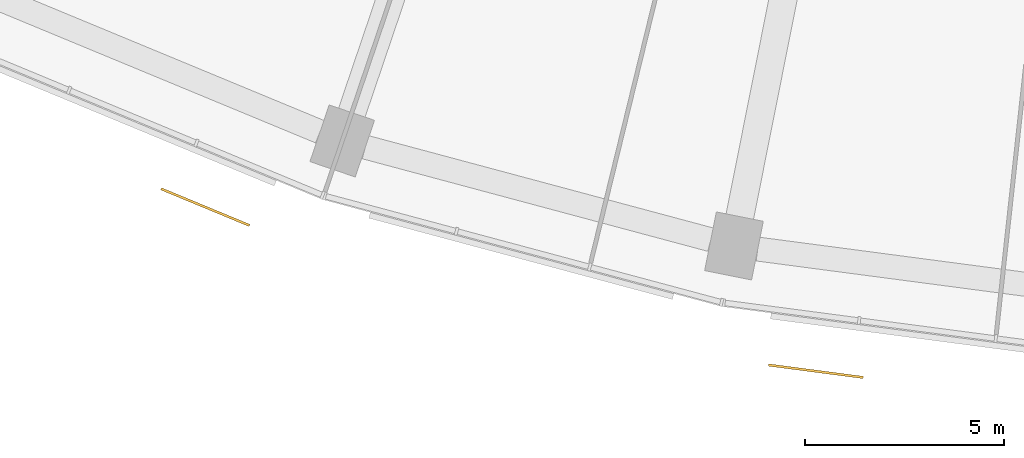
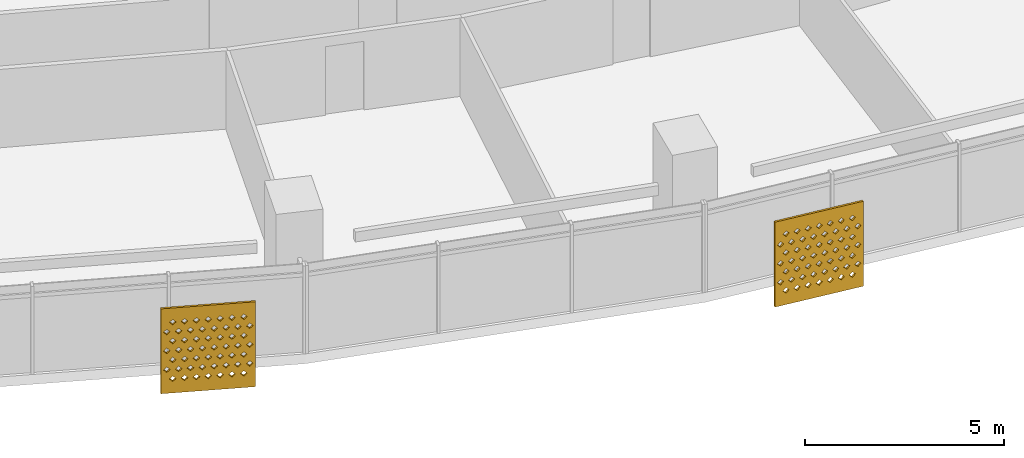
# One storey, part 24 of 29: 2 shading devices.
"""IFC4 building model written with IfcOpenShell, lengths in metres."""

from ifc_helpers import new_model, si_unit, direction, frame, origin, place, context, subcontext, project, spatial, polyline, outline, extrude, material, material_profile, profile_set, type_object, element, save


model = new_model("IFC4")

# Units and contexts
model_context = context("Model", 3, precision=1e-05, world=origin(), true_north=direction((0.0, 1.0)))
body_context = subcontext(model_context, "Body", "Model", "MODEL_VIEW")
ifc_project = project(units=[si_unit("LENGTHUNIT", "METRE"), si_unit("AREAUNIT", "SQUARE_METRE"), si_unit("VOLUMEUNIT", "CUBIC_METRE"), si_unit("PLANEANGLEUNIT", "RADIAN"), si_unit("MASSUNIT", "GRAM", prefix="KILO")], contexts=[model_context])

# Site, building, storey
site_placement = place(None, origin())
site = spatial("IfcSite", under=ifc_project, at=site_placement, CompositionType="ELEMENT")
building_placement = place(site_placement, origin())
building = spatial("IfcBuilding", under=site, at=building_placement, Name="Qamariyya Broadcast Tower", CompositionType="ELEMENT")
storey_placement = place(building_placement, frame((0.0, 0.0, 121.5)))
storey = spatial("IfcBuildingStorey", under=building, at=storey_placement, Name="L27", CompositionType="ELEMENT", Elevation=121.5)

# Shading devices
ifc_material = material(Name="Perforated glazed terracotta", Category="masonry")
ifc_material_profile = material_profile(ifc_material, outline(polyline([(-1.199951171875, -1.300048828125), (1.199951171875, -1.300048828125), (1.199951171875, 1.300048828125), (-1.199951171875, 1.300048828125), (-1.199951171875, -1.300048828125)]), holes=[polyline([(-0.81494140625, -0.86669921875), (-0.89990234375, -0.78173828125), (-0.985107421875, -0.86669921875), (-0.89990234375, -0.95166015625), (-0.81494140625, -0.86669921875)]), polyline([(-0.514892578125, -0.86669921875), (-0.60009765625, -0.78173828125), (-0.68505859375, -0.86669921875), (-0.60009765625, -0.95166015625), (-0.514892578125, -0.86669921875)]), polyline([(-0.215087890625, -0.86669921875), (-0.300048828125, -0.78173828125), (-0.385009765625, -0.86669921875), (-0.300048828125, -0.95166015625), (-0.215087890625, -0.86669921875)]), polyline([(0.0849609375, -0.86669921875), (0.0, -0.78173828125), (-0.0849609375, -0.86669921875), (0.0, -0.95166015625), (0.0849609375, -0.86669921875)]), polyline([(0.385009765625, -0.86669921875), (0.300048828125, -0.78173828125), (0.215087890625, -0.86669921875), (0.300048828125, -0.95166015625), (0.385009765625, -0.86669921875)]), polyline([(0.68505859375, -0.86669921875), (0.60009765625, -0.78173828125), (0.514892578125, -0.86669921875), (0.60009765625, -0.95166015625), (0.68505859375, -0.86669921875)]), polyline([(0.985107421875, -0.86669921875), (0.89990234375, -0.78173828125), (0.81494140625, -0.86669921875), (0.89990234375, -0.95166015625), (0.985107421875, -0.86669921875)]), polyline([(-0.965087890625, -0.577880859375), (-1.050048828125, -0.49267578125), (-1.135009765625, -0.577880859375), (-1.050048828125, -0.662841796875), (-0.965087890625, -0.577880859375)]), polyline([(-0.6650390625, -0.577880859375), (-0.75, -0.49267578125), (-0.8349609375, -0.577880859375), (-0.75, -0.662841796875), (-0.6650390625, -0.577880859375)]), polyline([(-0.364990234375, -0.577880859375), (-0.449951171875, -0.49267578125), (-0.534912109375, -0.577880859375), (-0.449951171875, -0.662841796875), (-0.364990234375, -0.577880859375)]), polyline([(-0.06494140625, -0.577880859375), (-0.14990234375, -0.49267578125), (-0.235107421875, -0.577880859375), (-0.14990234375, -0.662841796875), (-0.06494140625, -0.577880859375)]), polyline([(0.235107421875, -0.577880859375), (0.14990234375, -0.49267578125), (0.06494140625, -0.577880859375), (0.14990234375, -0.662841796875), (0.235107421875, -0.577880859375)]), polyline([(0.534912109375, -0.577880859375), (0.449951171875, -0.49267578125), (0.364990234375, -0.577880859375), (0.449951171875, -0.662841796875), (0.534912109375, -0.577880859375)]), polyline([(0.8349609375, -0.577880859375), (0.75, -0.49267578125), (0.6650390625, -0.577880859375), (0.75, -0.662841796875), (0.8349609375, -0.577880859375)]), polyline([(1.135009765625, -0.577880859375), (1.050048828125, -0.49267578125), (0.965087890625, -0.577880859375), (1.050048828125, -0.662841796875), (1.135009765625, -0.577880859375)]), polyline([(-0.81494140625, -0.288818359375), (-0.89990234375, -0.203857421875), (-0.985107421875, -0.288818359375), (-0.89990234375, -0.373779296875), (-0.81494140625, -0.288818359375)]), polyline([(-0.514892578125, -0.288818359375), (-0.60009765625, -0.203857421875), (-0.68505859375, -0.288818359375), (-0.60009765625, -0.373779296875), (-0.514892578125, -0.288818359375)]), polyline([(-0.215087890625, -0.288818359375), (-0.300048828125, -0.203857421875), (-0.385009765625, -0.288818359375), (-0.300048828125, -0.373779296875), (-0.215087890625, -0.288818359375)]), polyline([(0.0849609375, -0.288818359375), (0.0, -0.203857421875), (-0.0849609375, -0.288818359375), (0.0, -0.373779296875), (0.0849609375, -0.288818359375)]), polyline([(0.385009765625, -0.288818359375), (0.300048828125, -0.203857421875), (0.215087890625, -0.288818359375), (0.300048828125, -0.373779296875), (0.385009765625, -0.288818359375)]), polyline([(0.68505859375, -0.288818359375), (0.60009765625, -0.203857421875), (0.514892578125, -0.288818359375), (0.60009765625, -0.373779296875), (0.68505859375, -0.288818359375)]), polyline([(0.985107421875, -0.288818359375), (0.89990234375, -0.203857421875), (0.81494140625, -0.288818359375), (0.89990234375, -0.373779296875), (0.985107421875, -0.288818359375)]), polyline([(-0.965087890625, 0.0), (-1.050048828125, 0.0849609375), (-1.135009765625, 0.0), (-1.050048828125, -0.0849609375), (-0.965087890625, 0.0)]), polyline([(-0.6650390625, 0.0), (-0.75, 0.0849609375), (-0.8349609375, 0.0), (-0.75, -0.0849609375), (-0.6650390625, 0.0)]), polyline([(-0.364990234375, 0.0), (-0.449951171875, 0.0849609375), (-0.534912109375, 0.0), (-0.449951171875, -0.0849609375), (-0.364990234375, 0.0)]), polyline([(-0.06494140625, 0.0), (-0.14990234375, 0.0849609375), (-0.235107421875, 0.0), (-0.14990234375, -0.0849609375), (-0.06494140625, 0.0)]), polyline([(0.235107421875, 0.0), (0.14990234375, 0.0849609375), (0.06494140625, 0.0), (0.14990234375, -0.0849609375), (0.235107421875, 0.0)]), polyline([(0.534912109375, 0.0), (0.449951171875, 0.0849609375), (0.364990234375, 0.0), (0.449951171875, -0.0849609375), (0.534912109375, 0.0)]), polyline([(0.8349609375, 0.0), (0.75, 0.0849609375), (0.6650390625, 0.0), (0.75, -0.0849609375), (0.8349609375, 0.0)]), polyline([(1.135009765625, 0.0), (1.050048828125, 0.0849609375), (0.965087890625, 0.0), (1.050048828125, -0.0849609375), (1.135009765625, 0.0)]), polyline([(-0.81494140625, 0.288818359375), (-0.89990234375, 0.373779296875), (-0.985107421875, 0.288818359375), (-0.89990234375, 0.203857421875), (-0.81494140625, 0.288818359375)]), polyline([(-0.514892578125, 0.288818359375), (-0.60009765625, 0.373779296875), (-0.68505859375, 0.288818359375), (-0.60009765625, 0.203857421875), (-0.514892578125, 0.288818359375)]), polyline([(-0.215087890625, 0.288818359375), (-0.300048828125, 0.373779296875), (-0.385009765625, 0.288818359375), (-0.300048828125, 0.203857421875), (-0.215087890625, 0.288818359375)]), polyline([(0.0849609375, 0.288818359375), (0.0, 0.373779296875), (-0.0849609375, 0.288818359375), (0.0, 0.203857421875), (0.0849609375, 0.288818359375)]), polyline([(0.385009765625, 0.288818359375), (0.300048828125, 0.373779296875), (0.215087890625, 0.288818359375), (0.300048828125, 0.203857421875), (0.385009765625, 0.288818359375)]), polyline([(0.68505859375, 0.288818359375), (0.60009765625, 0.373779296875), (0.514892578125, 0.288818359375), (0.60009765625, 0.203857421875), (0.68505859375, 0.288818359375)]), polyline([(0.985107421875, 0.288818359375), (0.89990234375, 0.373779296875), (0.81494140625, 0.288818359375), (0.89990234375, 0.203857421875), (0.985107421875, 0.288818359375)]), polyline([(-0.965087890625, 0.577880859375), (-1.050048828125, 0.662841796875), (-1.135009765625, 0.577880859375), (-1.050048828125, 0.49267578125), (-0.965087890625, 0.577880859375)]), polyline([(-0.6650390625, 0.577880859375), (-0.75, 0.662841796875), (-0.8349609375, 0.577880859375), (-0.75, 0.49267578125), (-0.6650390625, 0.577880859375)]), polyline([(-0.364990234375, 0.577880859375), (-0.449951171875, 0.662841796875), (-0.534912109375, 0.577880859375), (-0.449951171875, 0.49267578125), (-0.364990234375, 0.577880859375)]), polyline([(-0.06494140625, 0.577880859375), (-0.14990234375, 0.662841796875), (-0.235107421875, 0.577880859375), (-0.14990234375, 0.49267578125), (-0.06494140625, 0.577880859375)]), polyline([(0.235107421875, 0.577880859375), (0.14990234375, 0.662841796875), (0.06494140625, 0.577880859375), (0.14990234375, 0.49267578125), (0.235107421875, 0.577880859375)]), polyline([(0.534912109375, 0.577880859375), (0.449951171875, 0.662841796875), (0.364990234375, 0.577880859375), (0.449951171875, 0.49267578125), (0.534912109375, 0.577880859375)]), polyline([(0.8349609375, 0.577880859375), (0.75, 0.662841796875), (0.6650390625, 0.577880859375), (0.75, 0.49267578125), (0.8349609375, 0.577880859375)]), polyline([(1.135009765625, 0.577880859375), (1.050048828125, 0.662841796875), (0.965087890625, 0.577880859375), (1.050048828125, 0.49267578125), (1.135009765625, 0.577880859375)]), polyline([(-0.81494140625, 0.86669921875), (-0.89990234375, 0.95166015625), (-0.985107421875, 0.86669921875), (-0.89990234375, 0.78173828125), (-0.81494140625, 0.86669921875)]), polyline([(-0.514892578125, 0.86669921875), (-0.60009765625, 0.95166015625), (-0.68505859375, 0.86669921875), (-0.60009765625, 0.78173828125), (-0.514892578125, 0.86669921875)]), polyline([(-0.215087890625, 0.86669921875), (-0.300048828125, 0.95166015625), (-0.385009765625, 0.86669921875), (-0.300048828125, 0.78173828125), (-0.215087890625, 0.86669921875)]), polyline([(0.0849609375, 0.86669921875), (0.0, 0.95166015625), (-0.0849609375, 0.86669921875), (0.0, 0.78173828125), (0.0849609375, 0.86669921875)]), polyline([(0.385009765625, 0.86669921875), (0.300048828125, 0.95166015625), (0.215087890625, 0.86669921875), (0.300048828125, 0.78173828125), (0.385009765625, 0.86669921875)]), polyline([(0.68505859375, 0.86669921875), (0.60009765625, 0.95166015625), (0.514892578125, 0.86669921875), (0.60009765625, 0.78173828125), (0.68505859375, 0.86669921875)]), polyline([(0.985107421875, 0.86669921875), (0.89990234375, 0.95166015625), (0.81494140625, 0.86669921875), (0.89990234375, 0.78173828125), (0.985107421875, 0.86669921875)])]))
ifc_profile_set = profile_set([ifc_material_profile], Name="Perforated glazed terracotta")
shading_device_type = type_object("IfcShadingDeviceType", Name="Perforated terracotta screen 2400 x 2600", PredefinedType="USERDEFINED", material=ifc_profile_set)
shading_device_1_placement = place(storey_placement, frame((-28.4150390625, -75.254638671875, 1.35009765625), z_axis=(-0.382591441855, -0.923917630863, 0.0), x_axis=(0.923917630863, -0.382591441855, 0.0)))
element("IfcShadingDevice", 1, at=shading_device_1_placement, inside=storey, type_object=shading_device_type, Name="e-scr-L27-06-2", ObjectType="SCREEN", PredefinedType="USERDEFINED", context=body_context, shape_type="SweptSolid", body=[
    extrude(outline(polyline([(-1.199951171875, -1.300048828125), (1.199951171875, -1.300048828125), (1.199951171875, 1.300048828125), (-1.199951171875, 1.300048828125), (-1.199951171875, -1.300048828125)]), holes=[polyline([(-0.81494140625, -0.86669921875), (-0.89990234375, -0.78173828125), (-0.985107421875, -0.86669921875), (-0.89990234375, -0.95166015625), (-0.81494140625, -0.86669921875)]), polyline([(-0.514892578125, -0.86669921875), (-0.60009765625, -0.78173828125), (-0.68505859375, -0.86669921875), (-0.60009765625, -0.95166015625), (-0.514892578125, -0.86669921875)]), polyline([(-0.215087890625, -0.86669921875), (-0.300048828125, -0.78173828125), (-0.385009765625, -0.86669921875), (-0.300048828125, -0.95166015625), (-0.215087890625, -0.86669921875)]), polyline([(0.0849609375, -0.86669921875), (0.0, -0.78173828125), (-0.0849609375, -0.86669921875), (0.0, -0.95166015625), (0.0849609375, -0.86669921875)]), polyline([(0.385009765625, -0.86669921875), (0.300048828125, -0.78173828125), (0.215087890625, -0.86669921875), (0.300048828125, -0.95166015625), (0.385009765625, -0.86669921875)]), polyline([(0.68505859375, -0.86669921875), (0.60009765625, -0.78173828125), (0.514892578125, -0.86669921875), (0.60009765625, -0.95166015625), (0.68505859375, -0.86669921875)]), polyline([(0.985107421875, -0.86669921875), (0.89990234375, -0.78173828125), (0.81494140625, -0.86669921875), (0.89990234375, -0.95166015625), (0.985107421875, -0.86669921875)]), polyline([(-0.965087890625, -0.577880859375), (-1.050048828125, -0.49267578125), (-1.135009765625, -0.577880859375), (-1.050048828125, -0.662841796875), (-0.965087890625, -0.577880859375)]), polyline([(-0.6650390625, -0.577880859375), (-0.75, -0.49267578125), (-0.8349609375, -0.577880859375), (-0.75, -0.662841796875), (-0.6650390625, -0.577880859375)]), polyline([(-0.364990234375, -0.577880859375), (-0.449951171875, -0.49267578125), (-0.534912109375, -0.577880859375), (-0.449951171875, -0.662841796875), (-0.364990234375, -0.577880859375)]), polyline([(-0.06494140625, -0.577880859375), (-0.14990234375, -0.49267578125), (-0.235107421875, -0.577880859375), (-0.14990234375, -0.662841796875), (-0.06494140625, -0.577880859375)]), polyline([(0.235107421875, -0.577880859375), (0.14990234375, -0.49267578125), (0.06494140625, -0.577880859375), (0.14990234375, -0.662841796875), (0.235107421875, -0.577880859375)]), polyline([(0.534912109375, -0.577880859375), (0.449951171875, -0.49267578125), (0.364990234375, -0.577880859375), (0.449951171875, -0.662841796875), (0.534912109375, -0.577880859375)]), polyline([(0.8349609375, -0.577880859375), (0.75, -0.49267578125), (0.6650390625, -0.577880859375), (0.75, -0.662841796875), (0.8349609375, -0.577880859375)]), polyline([(1.135009765625, -0.577880859375), (1.050048828125, -0.49267578125), (0.965087890625, -0.577880859375), (1.050048828125, -0.662841796875), (1.135009765625, -0.577880859375)]), polyline([(-0.81494140625, -0.288818359375), (-0.89990234375, -0.203857421875), (-0.985107421875, -0.288818359375), (-0.89990234375, -0.373779296875), (-0.81494140625, -0.288818359375)]), polyline([(-0.514892578125, -0.288818359375), (-0.60009765625, -0.203857421875), (-0.68505859375, -0.288818359375), (-0.60009765625, -0.373779296875), (-0.514892578125, -0.288818359375)]), polyline([(-0.215087890625, -0.288818359375), (-0.300048828125, -0.203857421875), (-0.385009765625, -0.288818359375), (-0.300048828125, -0.373779296875), (-0.215087890625, -0.288818359375)]), polyline([(0.0849609375, -0.288818359375), (0.0, -0.203857421875), (-0.0849609375, -0.288818359375), (0.0, -0.373779296875), (0.0849609375, -0.288818359375)]), polyline([(0.385009765625, -0.288818359375), (0.300048828125, -0.203857421875), (0.215087890625, -0.288818359375), (0.300048828125, -0.373779296875), (0.385009765625, -0.288818359375)]), polyline([(0.68505859375, -0.288818359375), (0.60009765625, -0.203857421875), (0.514892578125, -0.288818359375), (0.60009765625, -0.373779296875), (0.68505859375, -0.288818359375)]), polyline([(0.985107421875, -0.288818359375), (0.89990234375, -0.203857421875), (0.81494140625, -0.288818359375), (0.89990234375, -0.373779296875), (0.985107421875, -0.288818359375)]), polyline([(-0.965087890625, 0.0), (-1.050048828125, 0.0849609375), (-1.135009765625, 0.0), (-1.050048828125, -0.0849609375), (-0.965087890625, 0.0)]), polyline([(-0.6650390625, 0.0), (-0.75, 0.0849609375), (-0.8349609375, 0.0), (-0.75, -0.0849609375), (-0.6650390625, 0.0)]), polyline([(-0.364990234375, 0.0), (-0.449951171875, 0.0849609375), (-0.534912109375, 0.0), (-0.449951171875, -0.0849609375), (-0.364990234375, 0.0)]), polyline([(-0.06494140625, 0.0), (-0.14990234375, 0.0849609375), (-0.235107421875, 0.0), (-0.14990234375, -0.0849609375), (-0.06494140625, 0.0)]), polyline([(0.235107421875, 0.0), (0.14990234375, 0.0849609375), (0.06494140625, 0.0), (0.14990234375, -0.0849609375), (0.235107421875, 0.0)]), polyline([(0.534912109375, 0.0), (0.449951171875, 0.0849609375), (0.364990234375, 0.0), (0.449951171875, -0.0849609375), (0.534912109375, 0.0)]), polyline([(0.8349609375, 0.0), (0.75, 0.0849609375), (0.6650390625, 0.0), (0.75, -0.0849609375), (0.8349609375, 0.0)]), polyline([(1.135009765625, 0.0), (1.050048828125, 0.0849609375), (0.965087890625, 0.0), (1.050048828125, -0.0849609375), (1.135009765625, 0.0)]), polyline([(-0.81494140625, 0.288818359375), (-0.89990234375, 0.373779296875), (-0.985107421875, 0.288818359375), (-0.89990234375, 0.203857421875), (-0.81494140625, 0.288818359375)]), polyline([(-0.514892578125, 0.288818359375), (-0.60009765625, 0.373779296875), (-0.68505859375, 0.288818359375), (-0.60009765625, 0.203857421875), (-0.514892578125, 0.288818359375)]), polyline([(-0.215087890625, 0.288818359375), (-0.300048828125, 0.373779296875), (-0.385009765625, 0.288818359375), (-0.300048828125, 0.203857421875), (-0.215087890625, 0.288818359375)]), polyline([(0.0849609375, 0.288818359375), (0.0, 0.373779296875), (-0.0849609375, 0.288818359375), (0.0, 0.203857421875), (0.0849609375, 0.288818359375)]), polyline([(0.385009765625, 0.288818359375), (0.300048828125, 0.373779296875), (0.215087890625, 0.288818359375), (0.300048828125, 0.203857421875), (0.385009765625, 0.288818359375)]), polyline([(0.68505859375, 0.288818359375), (0.60009765625, 0.373779296875), (0.514892578125, 0.288818359375), (0.60009765625, 0.203857421875), (0.68505859375, 0.288818359375)]), polyline([(0.985107421875, 0.288818359375), (0.89990234375, 0.373779296875), (0.81494140625, 0.288818359375), (0.89990234375, 0.203857421875), (0.985107421875, 0.288818359375)]), polyline([(-0.965087890625, 0.577880859375), (-1.050048828125, 0.662841796875), (-1.135009765625, 0.577880859375), (-1.050048828125, 0.49267578125), (-0.965087890625, 0.577880859375)]), polyline([(-0.6650390625, 0.577880859375), (-0.75, 0.662841796875), (-0.8349609375, 0.577880859375), (-0.75, 0.49267578125), (-0.6650390625, 0.577880859375)]), polyline([(-0.364990234375, 0.577880859375), (-0.449951171875, 0.662841796875), (-0.534912109375, 0.577880859375), (-0.449951171875, 0.49267578125), (-0.364990234375, 0.577880859375)]), polyline([(-0.06494140625, 0.577880859375), (-0.14990234375, 0.662841796875), (-0.235107421875, 0.577880859375), (-0.14990234375, 0.49267578125), (-0.06494140625, 0.577880859375)]), polyline([(0.235107421875, 0.577880859375), (0.14990234375, 0.662841796875), (0.06494140625, 0.577880859375), (0.14990234375, 0.49267578125), (0.235107421875, 0.577880859375)]), polyline([(0.534912109375, 0.577880859375), (0.449951171875, 0.662841796875), (0.364990234375, 0.577880859375), (0.449951171875, 0.49267578125), (0.534912109375, 0.577880859375)]), polyline([(0.8349609375, 0.577880859375), (0.75, 0.662841796875), (0.6650390625, 0.577880859375), (0.75, 0.49267578125), (0.8349609375, 0.577880859375)]), polyline([(1.135009765625, 0.577880859375), (1.050048828125, 0.662841796875), (0.965087890625, 0.577880859375), (1.050048828125, 0.49267578125), (1.135009765625, 0.577880859375)]), polyline([(-0.81494140625, 0.86669921875), (-0.89990234375, 0.95166015625), (-0.985107421875, 0.86669921875), (-0.89990234375, 0.78173828125), (-0.81494140625, 0.86669921875)]), polyline([(-0.514892578125, 0.86669921875), (-0.60009765625, 0.95166015625), (-0.68505859375, 0.86669921875), (-0.60009765625, 0.78173828125), (-0.514892578125, 0.86669921875)]), polyline([(-0.215087890625, 0.86669921875), (-0.300048828125, 0.95166015625), (-0.385009765625, 0.86669921875), (-0.300048828125, 0.78173828125), (-0.215087890625, 0.86669921875)]), polyline([(0.0849609375, 0.86669921875), (0.0, 0.95166015625), (-0.0849609375, 0.86669921875), (0.0, 0.78173828125), (0.0849609375, 0.86669921875)]), polyline([(0.385009765625, 0.86669921875), (0.300048828125, 0.95166015625), (0.215087890625, 0.86669921875), (0.300048828125, 0.78173828125), (0.385009765625, 0.86669921875)]), polyline([(0.68505859375, 0.86669921875), (0.60009765625, 0.95166015625), (0.514892578125, 0.86669921875), (0.60009765625, 0.78173828125), (0.68505859375, 0.86669921875)]), polyline([(0.985107421875, 0.86669921875), (0.89990234375, 0.95166015625), (0.81494140625, 0.86669921875), (0.89990234375, 0.78173828125), (0.985107421875, 0.86669921875)])]), origin(), (0.0, 0.0, 1.0), 0.06005859375),
])
shading_device_2_placement = place(storey_placement, frame((-13.111572265625, -79.367919921875, 1.35009765625), z_axis=(-0.13056005306, -0.991440402921, 0.0), x_axis=(0.991440402921, -0.13056005306, 0.0)))
element("IfcShadingDevice", 2, at=shading_device_2_placement, inside=storey, type_object=shading_device_type, Name="e-scr-L27-08-0", ObjectType="SCREEN", PredefinedType="USERDEFINED", context=body_context, shape_type="SweptSolid", body=[
    extrude(outline(polyline([(-1.199951171875, -1.300048828125), (1.199951171875, -1.300048828125), (1.199951171875, 1.300048828125), (-1.199951171875, 1.300048828125), (-1.199951171875, -1.300048828125)]), holes=[polyline([(-0.81494140625, -0.86669921875), (-0.89990234375, -0.78173828125), (-0.985107421875, -0.86669921875), (-0.89990234375, -0.95166015625), (-0.81494140625, -0.86669921875)]), polyline([(-0.514892578125, -0.86669921875), (-0.60009765625, -0.78173828125), (-0.68505859375, -0.86669921875), (-0.60009765625, -0.95166015625), (-0.514892578125, -0.86669921875)]), polyline([(-0.215087890625, -0.86669921875), (-0.300048828125, -0.78173828125), (-0.385009765625, -0.86669921875), (-0.300048828125, -0.95166015625), (-0.215087890625, -0.86669921875)]), polyline([(0.0849609375, -0.86669921875), (0.0, -0.78173828125), (-0.0849609375, -0.86669921875), (0.0, -0.95166015625), (0.0849609375, -0.86669921875)]), polyline([(0.385009765625, -0.86669921875), (0.300048828125, -0.78173828125), (0.215087890625, -0.86669921875), (0.300048828125, -0.95166015625), (0.385009765625, -0.86669921875)]), polyline([(0.68505859375, -0.86669921875), (0.60009765625, -0.78173828125), (0.514892578125, -0.86669921875), (0.60009765625, -0.95166015625), (0.68505859375, -0.86669921875)]), polyline([(0.985107421875, -0.86669921875), (0.89990234375, -0.78173828125), (0.81494140625, -0.86669921875), (0.89990234375, -0.95166015625), (0.985107421875, -0.86669921875)]), polyline([(-0.965087890625, -0.577880859375), (-1.050048828125, -0.49267578125), (-1.135009765625, -0.577880859375), (-1.050048828125, -0.662841796875), (-0.965087890625, -0.577880859375)]), polyline([(-0.6650390625, -0.577880859375), (-0.75, -0.49267578125), (-0.8349609375, -0.577880859375), (-0.75, -0.662841796875), (-0.6650390625, -0.577880859375)]), polyline([(-0.364990234375, -0.577880859375), (-0.449951171875, -0.49267578125), (-0.534912109375, -0.577880859375), (-0.449951171875, -0.662841796875), (-0.364990234375, -0.577880859375)]), polyline([(-0.06494140625, -0.577880859375), (-0.14990234375, -0.49267578125), (-0.235107421875, -0.577880859375), (-0.14990234375, -0.662841796875), (-0.06494140625, -0.577880859375)]), polyline([(0.235107421875, -0.577880859375), (0.14990234375, -0.49267578125), (0.06494140625, -0.577880859375), (0.14990234375, -0.662841796875), (0.235107421875, -0.577880859375)]), polyline([(0.534912109375, -0.577880859375), (0.449951171875, -0.49267578125), (0.364990234375, -0.577880859375), (0.449951171875, -0.662841796875), (0.534912109375, -0.577880859375)]), polyline([(0.8349609375, -0.577880859375), (0.75, -0.49267578125), (0.6650390625, -0.577880859375), (0.75, -0.662841796875), (0.8349609375, -0.577880859375)]), polyline([(1.135009765625, -0.577880859375), (1.050048828125, -0.49267578125), (0.965087890625, -0.577880859375), (1.050048828125, -0.662841796875), (1.135009765625, -0.577880859375)]), polyline([(-0.81494140625, -0.288818359375), (-0.89990234375, -0.203857421875), (-0.985107421875, -0.288818359375), (-0.89990234375, -0.373779296875), (-0.81494140625, -0.288818359375)]), polyline([(-0.514892578125, -0.288818359375), (-0.60009765625, -0.203857421875), (-0.68505859375, -0.288818359375), (-0.60009765625, -0.373779296875), (-0.514892578125, -0.288818359375)]), polyline([(-0.215087890625, -0.288818359375), (-0.300048828125, -0.203857421875), (-0.385009765625, -0.288818359375), (-0.300048828125, -0.373779296875), (-0.215087890625, -0.288818359375)]), polyline([(0.0849609375, -0.288818359375), (0.0, -0.203857421875), (-0.0849609375, -0.288818359375), (0.0, -0.373779296875), (0.0849609375, -0.288818359375)]), polyline([(0.385009765625, -0.288818359375), (0.300048828125, -0.203857421875), (0.215087890625, -0.288818359375), (0.300048828125, -0.373779296875), (0.385009765625, -0.288818359375)]), polyline([(0.68505859375, -0.288818359375), (0.60009765625, -0.203857421875), (0.514892578125, -0.288818359375), (0.60009765625, -0.373779296875), (0.68505859375, -0.288818359375)]), polyline([(0.985107421875, -0.288818359375), (0.89990234375, -0.203857421875), (0.81494140625, -0.288818359375), (0.89990234375, -0.373779296875), (0.985107421875, -0.288818359375)]), polyline([(-0.965087890625, 0.0), (-1.050048828125, 0.0849609375), (-1.135009765625, 0.0), (-1.050048828125, -0.0849609375), (-0.965087890625, 0.0)]), polyline([(-0.6650390625, 0.0), (-0.75, 0.0849609375), (-0.8349609375, 0.0), (-0.75, -0.0849609375), (-0.6650390625, 0.0)]), polyline([(-0.364990234375, 0.0), (-0.449951171875, 0.0849609375), (-0.534912109375, 0.0), (-0.449951171875, -0.0849609375), (-0.364990234375, 0.0)]), polyline([(-0.06494140625, 0.0), (-0.14990234375, 0.0849609375), (-0.235107421875, 0.0), (-0.14990234375, -0.0849609375), (-0.06494140625, 0.0)]), polyline([(0.235107421875, 0.0), (0.14990234375, 0.0849609375), (0.06494140625, 0.0), (0.14990234375, -0.0849609375), (0.235107421875, 0.0)]), polyline([(0.534912109375, 0.0), (0.449951171875, 0.0849609375), (0.364990234375, 0.0), (0.449951171875, -0.0849609375), (0.534912109375, 0.0)]), polyline([(0.8349609375, 0.0), (0.75, 0.0849609375), (0.6650390625, 0.0), (0.75, -0.0849609375), (0.8349609375, 0.0)]), polyline([(1.135009765625, 0.0), (1.050048828125, 0.0849609375), (0.965087890625, 0.0), (1.050048828125, -0.0849609375), (1.135009765625, 0.0)]), polyline([(-0.81494140625, 0.288818359375), (-0.89990234375, 0.373779296875), (-0.985107421875, 0.288818359375), (-0.89990234375, 0.203857421875), (-0.81494140625, 0.288818359375)]), polyline([(-0.514892578125, 0.288818359375), (-0.60009765625, 0.373779296875), (-0.68505859375, 0.288818359375), (-0.60009765625, 0.203857421875), (-0.514892578125, 0.288818359375)]), polyline([(-0.215087890625, 0.288818359375), (-0.300048828125, 0.373779296875), (-0.385009765625, 0.288818359375), (-0.300048828125, 0.203857421875), (-0.215087890625, 0.288818359375)]), polyline([(0.0849609375, 0.288818359375), (0.0, 0.373779296875), (-0.0849609375, 0.288818359375), (0.0, 0.203857421875), (0.0849609375, 0.288818359375)]), polyline([(0.385009765625, 0.288818359375), (0.300048828125, 0.373779296875), (0.215087890625, 0.288818359375), (0.300048828125, 0.203857421875), (0.385009765625, 0.288818359375)]), polyline([(0.68505859375, 0.288818359375), (0.60009765625, 0.373779296875), (0.514892578125, 0.288818359375), (0.60009765625, 0.203857421875), (0.68505859375, 0.288818359375)]), polyline([(0.985107421875, 0.288818359375), (0.89990234375, 0.373779296875), (0.81494140625, 0.288818359375), (0.89990234375, 0.203857421875), (0.985107421875, 0.288818359375)]), polyline([(-0.965087890625, 0.577880859375), (-1.050048828125, 0.662841796875), (-1.135009765625, 0.577880859375), (-1.050048828125, 0.49267578125), (-0.965087890625, 0.577880859375)]), polyline([(-0.6650390625, 0.577880859375), (-0.75, 0.662841796875), (-0.8349609375, 0.577880859375), (-0.75, 0.49267578125), (-0.6650390625, 0.577880859375)]), polyline([(-0.364990234375, 0.577880859375), (-0.449951171875, 0.662841796875), (-0.534912109375, 0.577880859375), (-0.449951171875, 0.49267578125), (-0.364990234375, 0.577880859375)]), polyline([(-0.06494140625, 0.577880859375), (-0.14990234375, 0.662841796875), (-0.235107421875, 0.577880859375), (-0.14990234375, 0.49267578125), (-0.06494140625, 0.577880859375)]), polyline([(0.235107421875, 0.577880859375), (0.14990234375, 0.662841796875), (0.06494140625, 0.577880859375), (0.14990234375, 0.49267578125), (0.235107421875, 0.577880859375)]), polyline([(0.534912109375, 0.577880859375), (0.449951171875, 0.662841796875), (0.364990234375, 0.577880859375), (0.449951171875, 0.49267578125), (0.534912109375, 0.577880859375)]), polyline([(0.8349609375, 0.577880859375), (0.75, 0.662841796875), (0.6650390625, 0.577880859375), (0.75, 0.49267578125), (0.8349609375, 0.577880859375)]), polyline([(1.135009765625, 0.577880859375), (1.050048828125, 0.662841796875), (0.965087890625, 0.577880859375), (1.050048828125, 0.49267578125), (1.135009765625, 0.577880859375)]), polyline([(-0.81494140625, 0.86669921875), (-0.89990234375, 0.95166015625), (-0.985107421875, 0.86669921875), (-0.89990234375, 0.78173828125), (-0.81494140625, 0.86669921875)]), polyline([(-0.514892578125, 0.86669921875), (-0.60009765625, 0.95166015625), (-0.68505859375, 0.86669921875), (-0.60009765625, 0.78173828125), (-0.514892578125, 0.86669921875)]), polyline([(-0.215087890625, 0.86669921875), (-0.300048828125, 0.95166015625), (-0.385009765625, 0.86669921875), (-0.300048828125, 0.78173828125), (-0.215087890625, 0.86669921875)]), polyline([(0.0849609375, 0.86669921875), (0.0, 0.95166015625), (-0.0849609375, 0.86669921875), (0.0, 0.78173828125), (0.0849609375, 0.86669921875)]), polyline([(0.385009765625, 0.86669921875), (0.300048828125, 0.95166015625), (0.215087890625, 0.86669921875), (0.300048828125, 0.78173828125), (0.385009765625, 0.86669921875)]), polyline([(0.68505859375, 0.86669921875), (0.60009765625, 0.95166015625), (0.514892578125, 0.86669921875), (0.60009765625, 0.78173828125), (0.68505859375, 0.86669921875)]), polyline([(0.985107421875, 0.86669921875), (0.89990234375, 0.95166015625), (0.81494140625, 0.86669921875), (0.89990234375, 0.78173828125), (0.985107421875, 0.86669921875)])]), origin(), (0.0, 0.0, 1.0), 0.059814453125),
])

save(model, "model.ifc")
